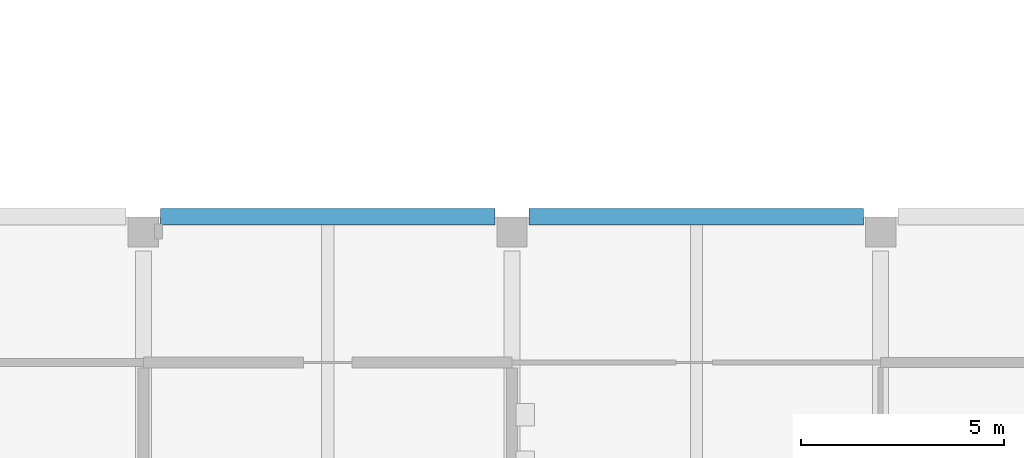
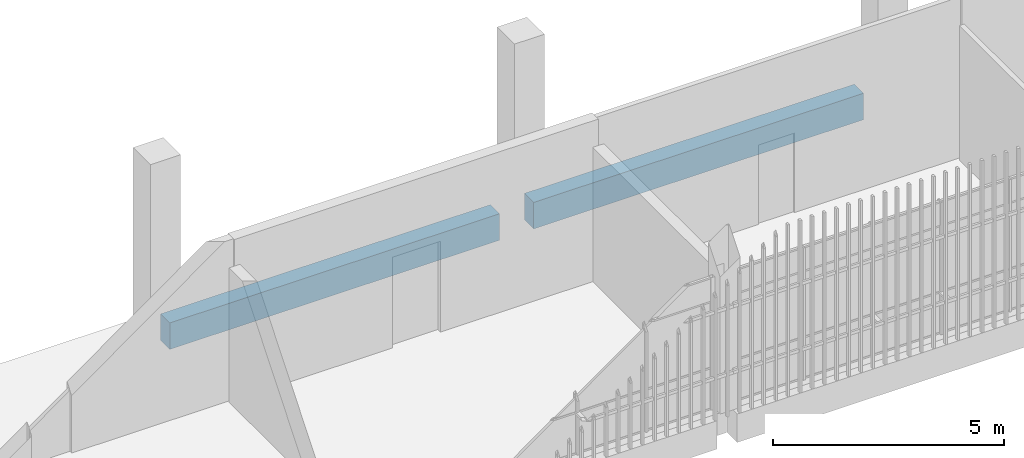
# One storey, part 23 of 124: 2 beams.
"""IFC4 building model written with IfcOpenShell, lengths in metres."""

from ifc_helpers import new_model, si_unit, direction, frame, origin, origin_2d, place, context, subcontext, project, spatial, rectangle, extrude, material, material_profile, profile_set, type_object, element, save


model = new_model("IFC4")

# Units and contexts
model_context = context("Model", 3, precision=1e-05, world=origin(), true_north=direction((0.0, 1.0)))
body_context = subcontext(model_context, "Body", "Model", "MODEL_VIEW")
ifc_project = project(units=[si_unit("LENGTHUNIT", "METRE"), si_unit("AREAUNIT", "SQUARE_METRE"), si_unit("VOLUMEUNIT", "CUBIC_METRE"), si_unit("PLANEANGLEUNIT", "RADIAN"), si_unit("MASSUNIT", "GRAM", prefix="KILO")], contexts=[model_context])

# Site, building, storey
site_placement = place(None, origin())
site = spatial("IfcSite", under=ifc_project, at=site_placement, CompositionType="ELEMENT")
building_placement = place(site_placement, origin())
building = spatial("IfcBuilding", under=site, at=building_placement, Name="Shirokan Park Arena", CompositionType="ELEMENT")
storey_placement = place(building_placement, frame((0.0, 0.0, 20.02001953125)))
storey = spatial("IfcBuildingStorey", under=building, at=storey_placement, Name="L04", CompositionType="ELEMENT", Elevation=20.02001953125)

# Beams
ifc_material = material(Name="Concrete C35", Category="concrete")
ifc_material_profile = material_profile(ifc_material, rectangle(XDim=0.39990234375, YDim=0.699951171875, at=origin_2d()), Name="400x700")
ifc_profile_set = profile_set([ifc_material_profile], Name="Concrete C35")
beam_type = type_object("IfcBeamType", Name="RC girder 400x700", PredefinedType="BEAM", material=ifc_profile_set)
beam_1_placement = place(storey_placement, frame((64.125, 9.10009765625, -0.60009765625), z_axis=(1.0, 0.0, 0.0), x_axis=(0.0, 1.0, 0.0)))
element("IfcBeam", 1, at=beam_1_placement, inside=storey, type_object=beam_type, Name="Girder 8B-9B L04", PredefinedType="BEAM", context=body_context, shape_type="SweptSolid", body=[
    extrude(rectangle(XDim=0.39990234375, YDim=0.699951171875, at=origin_2d()), origin(), (0.0, 0.0, 1.0), 8.25),
])
beam_2_placement = place(storey_placement, frame((73.22509765625, 9.10009765625, -0.60009765625), z_axis=(1.0, 0.0, 0.0), x_axis=(0.0, 1.0, 0.0)))
element("IfcBeam", 2, at=beam_2_placement, inside=storey, type_object=beam_type, Name="Girder 9B-10B L04", PredefinedType="BEAM", context=body_context, shape_type="SweptSolid", body=[
    extrude(rectangle(XDim=0.39990234375, YDim=0.699951171875, at=origin_2d()), origin(), (0.0, 0.0, 1.0), 8.249755859375),
])

save(model, "model.ifc")
